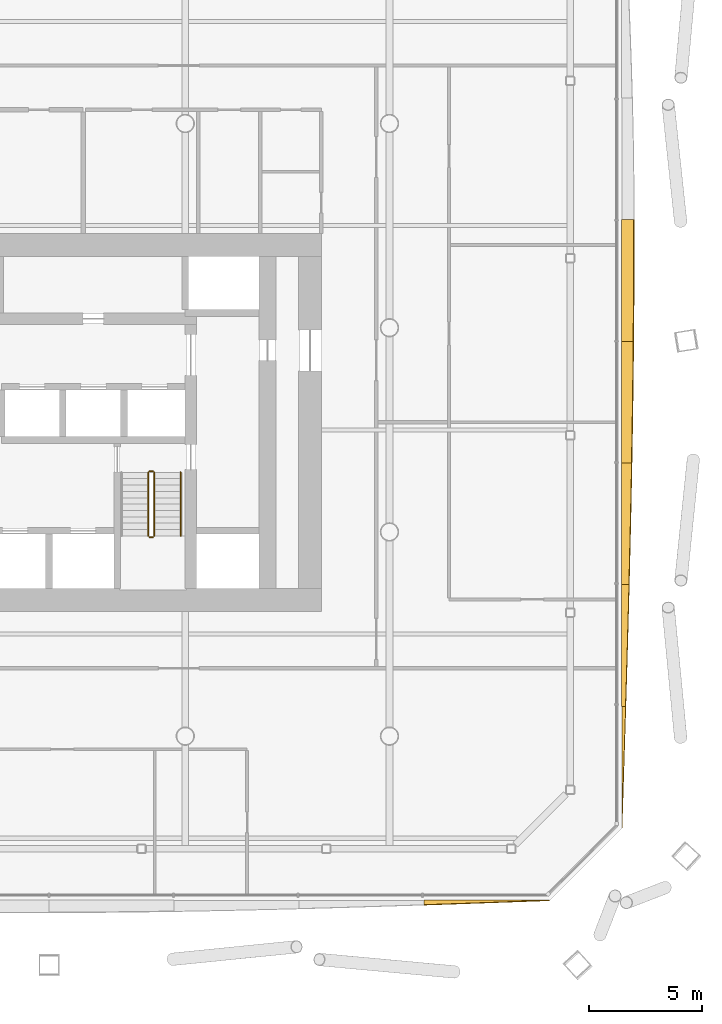
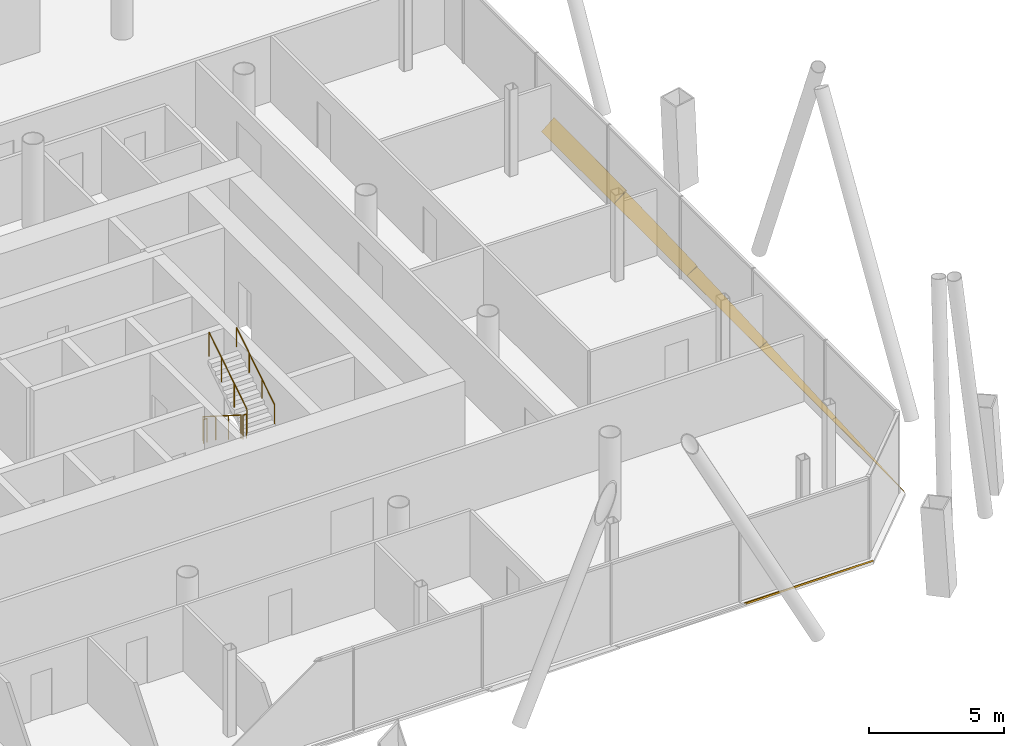
# One storey, part 20 of 22: 6 shading devices, 5 railings.
"""IFC4 building model written with IfcOpenShell, lengths in metres."""

from ifc_helpers import new_model, si_unit, direction, frame, origin, origin_2d, place, context, subcontext, project, spatial, polyline, circle, outline, extrude, material, layer, layer_set, type_object, element, save


model = new_model("IFC4")

# Units and contexts
model_context = context("Model", 3, precision=1e-05, world=origin(), true_north=direction((0.0, 1.0)))
body_context = subcontext(model_context, "Body", "Model", "MODEL_VIEW")
ifc_project = project(units=[si_unit("LENGTHUNIT", "METRE"), si_unit("AREAUNIT", "SQUARE_METRE"), si_unit("VOLUMEUNIT", "CUBIC_METRE"), si_unit("PLANEANGLEUNIT", "RADIAN"), si_unit("MASSUNIT", "GRAM", prefix="KILO")], contexts=[model_context])

# Site, building, storey
site_placement = place(None, origin())
site = spatial("IfcSite", under=ifc_project, at=site_placement, CompositionType="ELEMENT")
building_placement = place(site_placement, origin())
building = spatial("IfcBuilding", under=site, at=building_placement, Name="Tskaro Facet Tower", CompositionType="ELEMENT")
storey_placement = place(building_placement, frame((0.0, 0.0, 73.800048828125)))
storey = spatial("IfcBuildingStorey", under=building, at=storey_placement, Name="L17", CompositionType="ELEMENT", Elevation=73.800048828125)

# Shading devices
ifc_material_1 = material(Name="Bronze anodised aluminium 6063-T6", Category="aluminium")
ifc_layer = layer(ifc_material_1, 0.06005859375, Name="Bronze anodised aluminium 6063-T6")
ifc_layer_set = layer_set([ifc_layer], Name="Bronze anodised aluminium 6063-T6")
shading_device_type = type_object("IfcShadingDeviceType", Name="Bronze sun blade (FN1)", PredefinedType="USERDEFINED", material=ifc_layer_set)
shading_device_1_placement = place(storey_placement, frame((19.5322265625, -25.23095703125, 0.052001953125), z_axis=(2.324982e-06, 0.499235596176, 0.866466282959), x_axis=(0.999999999997, -1.160714e-06, -2.014519e-06)))
element("IfcShadingDevice", 1, at=shading_device_1_placement, inside=storey, type_object=shading_device_type, Name="Fin blade south 8", ObjectType="FIN", PredefinedType="USERDEFINED", context=body_context, shape_type="SweptSolid", body=[
    extrude(outline(polyline([(0.0, 0.0), (5.510742187485106, 0.0), (4.822021484248738, -0.028768178964002942), (4.1330566403873705, -0.057536357928005884), (3.444335937642829, -0.08618265320153572), (2.7553710939899103, -0.11461740885520193), (2.066650390678613, -0.1428406248890045), (1.3776855469507656, -0.17073041761247038), (0.6889648435645397, -0.1984086707160726), (-2.9788554966146426e-11, -0.2254200771990014), (0.0, 0.0)])), origin(), (0.0, 0.0, -1.0), 0.06005859375),
])
shading_device_2_placement = place(storey_placement, frame((28.240478515625, -22.04296875, 0.056396484375), z_axis=(-0.341525420994, -1.2343e-07, 0.939872537536), x_axis=(-4.2154e-08, 1.0, 1.16008e-07)))
element("IfcShadingDevice", 2, at=shading_device_2_placement, inside=storey, type_object=shading_device_type, Name="Fin blade east 1", ObjectType="FIN", PredefinedType="USERDEFINED", context=body_context, shape_type="SweptSolid", body=[
    extrude(outline(polyline([(0.0, 0.0), (5.361328124999959, 0.0), (5.361328124999918, -0.17871427272301155), (4.691162109389748, -0.1569381360572725), (4.020996093751256, -0.1350786191617987), (3.350830078133347, -0.11276018012885596), (2.680664062487115, -0.09035836086617842), (2.010498046869206, -0.06803992183323568), (1.340332031233266, -0.04540864150182367), (0.6701660156359399, -0.022631280331412006), (0.0, 0.0)])), origin(), (0.0, 0.0, -1.0), 0.06005859375),
])
shading_device_3_placement = place(storey_placement, frame((28.235595703125, -16.681640625, 0.054443359375), z_axis=(-0.422280990273, -1.0588181e-05, 0.906464982855), x_axis=(-4.471188e-06, 0.999999999944, 9.597816e-06)))
element("IfcShadingDevice", 3, at=shading_device_3_placement, inside=storey, type_object=shading_device_type, Name="Fin blade east 2", ObjectType="FIN", PredefinedType="USERDEFINED", context=body_context, shape_type="SweptSolid", body=[
    extrude(outline(polyline([(0.0, 0.0), (5.3613281246994715, -4.541221562916122e-21), (5.361328124999126, -0.35203097064167516), (4.6911621095890395, -0.3329161546099153), (4.020996092767313, -0.3129312319059606), (3.350830077037187, -0.29272500427453874), (2.6806640634902577, -0.27207616678818247), (2.010498046348493, -0.25099983248456575), (1.340332031389926, -0.22948088832601463), (0.6701660162713393, -0.20741623836763246), (-1.1904641697174655e-09, -0.18524849246435365), (0.0, 0.0)])), origin(), (0.0, 0.0, -1.0), 0.06005859375),
])
shading_device_4_placement = place(storey_placement, frame((28.23095703125, -11.3203125, 0.052001953125), z_axis=(-0.499826265631, -3.994829e-06, 0.866125686128), x_axis=(-1.99672e-06, 0.999999999992, 3.460024e-06)))
element("IfcShadingDevice", 4, at=shading_device_4_placement, inside=storey, type_object=shading_device_type, Name="Fin blade east 3", ObjectType="FIN", PredefinedType="USERDEFINED", context=body_context, shape_type="SweptSolid", body=[
    extrude(outline(polyline([(0.0, 0.0), (5.36132812495722, -1.1353053907290305e-21), (5.36132812494214, -0.5065301990836382), (4.691162109816985, -0.4916621694610403), (4.020996093977327, -0.4761271711119927), (3.3508300782678972, -0.46004723193337893), (2.680664062331445, -0.4430888675619741), (2.010498047012702, -0.42537410589466146), (1.3403320309794549, -0.40699237550089923), (0.6701660150764367, -0.3880657042775707), (-2.0887205329733564e-10, -0.3683826357583345), (0.0, 0.0)])), origin(), (0.0, 0.0, -1.0), 0.06005859375),
])
shading_device_5_placement = place(storey_placement, frame((28.2265625, -5.958984375, 0.049072265625), z_axis=(-0.573628208336, 1.5267768e-05, 0.819115790574), x_axis=(8.758022e-06, 0.999999999883, -1.250607e-05)))
element("IfcShadingDevice", 5, at=shading_device_5_placement, inside=storey, type_object=shading_device_type, Name="Fin blade east 4", ObjectType="FIN", PredefinedType="USERDEFINED", context=body_context, shape_type="SweptSolid", body=[
    extrude(outline(polyline([(0.0, 0.0), (5.361572265000096, 4.54142835806926e-21), (5.361572266635879, -0.62792445760141), (4.691406249231249, -0.6196641602141036), (4.0212402345717715, -0.6103837866556014), (3.3510742196042056, -0.6002233828752206), (2.680908202190363, -0.5889829694318796), (2.0107421866066217, -0.5770625052077414), (1.340332031004872, -0.563921985371326), (0.6701660148049552, -0.5502414607034305), (-7.879986281612611e-10, -0.5353408804232578), (0.0, 0.0)])), origin(), (0.0, 0.0, -1.0), 0.06005859375),
])
shading_device_6_placement = place(storey_placement, frame((28.222412109375, -0.597412109375, 0.0458984375), z_axis=(-0.642754329113, -4.818207e-06, 0.766072367589), x_axis=(-3.096923e-06, 0.999999999988, 3.691095e-06)))
element("IfcShadingDevice", 6, at=shading_device_6_placement, inside=storey, type_object=shading_device_type, Name="Fin blade east 5", ObjectType="FIN", PredefinedType="USERDEFINED", context=body_context, shape_type="SweptSolid", body=[
    extrude(outline(polyline([(0.0, 0.0), (5.361328124937768, 0.0), (5.361328125326588, -0.7037381737100017), (5.146728515954079, -0.7037381737100017), (4.6911621088082205, -0.7035812512663687), (4.020996094267984, -0.7021753370023673), (3.3508300785364793, -0.6999245966342258), (2.6806640622247278, -0.6962980489450703), (2.010498046378939, -0.6917965682087874), (1.3403320308540498, -0.6860762025951235), (0.6701660157951228, -0.6794809039343321), (1.5594997995379615e-10, -0.6715097979525267), (0.0, 0.0)])), origin(), (0.0, 0.0, -1.0), 0.06005859375),
])

# Railings
ifc_material_2 = material(Name="Stainless steel", Category="steel")
railing_type_1 = type_object("IfcRailingType", Name="RL-GUARD-1100", PredefinedType="GUARDRAIL", material=ifc_material_2)
railing_1_placement = place(storey_placement, frame((7.375, -6.375, 0.17724609375)))
element("IfcRailing", 7, at=railing_1_placement, inside=storey, type_object=railing_type_1, Name="L17 ST-2 stair guard 1", PredefinedType="GUARDRAIL", context=body_context, shape_type="SweptSolid", body=[
    extrude(circle(Radius=0.02392578125, at=origin_2d()), frame((0.0, 0.0, 1.076171875), z_axis=(0.0, -0.844908973607, 0.534910110503), x_axis=(1.0, 0.0, 0.0)), (0.0, 0.0, 1.0), 3.31396484375),
    extrude(circle(Radius=0.02099609375, at=origin_2d()), origin(), (0.0, 0.0, 1.0), 1.052001953125),
    extrude(circle(Radius=0.02099609375, at=origin_2d()), frame((0.0, -0.933349609375, 0.5908203125)), (0.0, 0.0, 1.0), 1.052001953125),
    extrude(circle(Radius=0.02099609375, at=origin_2d()), frame((0.0, -1.86669921875, 1.181884765625)), (0.0, 0.0, 1.0), 1.052001953125),
    extrude(circle(Radius=0.02099609375, at=origin_2d()), frame((0.0, -2.800048828125, 1.772705078125)), (0.0, 0.0, 1.0), 1.052001953125),
])
railing_2_placement = place(storey_placement, frame((7.425048828125, -9.22509765625, 1.949951171875)))
element("IfcRailing", 8, at=railing_2_placement, inside=storey, type_object=railing_type_1, Name="L17 ST-2 stair guard 2", PredefinedType="GUARDRAIL", context=body_context, shape_type="SweptSolid", body=[
    extrude(circle(Radius=0.02392578125, at=origin_2d()), frame((0.0, 0.0, 1.076171875), z_axis=(1.0, 0.0, 0.0), x_axis=(0.0, 1.0, 0.0)), (0.0, 0.0, 1.0), 0.14990234375),
    extrude(circle(Radius=0.02099609375, at=origin_2d()), origin(), (0.0, 0.0, 1.0), 1.052001953125),
    extrude(circle(Radius=0.02099609375, at=origin_2d()), frame((0.14990234375, 0.0, 0.0)), (0.0, 0.0, 1.0), 1.052001953125),
])
railing_3_placement = place(storey_placement, frame((7.625, -9.175048828125, 2.127197265625)))
element("IfcRailing", 9, at=railing_3_placement, inside=storey, type_object=railing_type_1, Name="L17 ST-2 stair guard 3", PredefinedType="GUARDRAIL", context=body_context, shape_type="SweptSolid", body=[
    extrude(circle(Radius=0.02392578125, at=origin_2d()), frame((0.0, 0.0, 1.076171875), z_axis=(0.0, 0.844908973607, 0.534910110503), x_axis=(-1.0, 0.0, 0.0)), (0.0, 0.0, 1.0), 3.31396484375),
    extrude(circle(Radius=0.02099609375, at=origin_2d()), origin(), (0.0, 0.0, 1.0), 1.052001953125),
    extrude(circle(Radius=0.02099609375, at=origin_2d()), frame((0.0, 0.933349609375, 0.5908203125)), (0.0, 0.0, 1.0), 1.052001953125),
    extrude(circle(Radius=0.02099609375, at=origin_2d()), frame((0.0, 1.86669921875, 1.181884765625)), (0.0, 0.0, 1.0), 1.052001953125),
    extrude(circle(Radius=0.02099609375, at=origin_2d()), frame((0.0, 2.800048828125, 1.772705078125)), (0.0, 0.0, 1.0), 1.052001953125),
])
railing_4_placement = place(storey_placement, frame((7.425048828125, -6.324951171875, 0.0)))
element("IfcRailing", 10, at=railing_4_placement, inside=storey, type_object=railing_type_1, Name="L17 ST-2 stair guard 4", PredefinedType="GUARDRAIL", context=body_context, shape_type="SweptSolid", body=[
    extrude(circle(Radius=0.02392578125, at=origin_2d()), frame((0.0, 0.0, 1.076171875), z_axis=(1.0, 0.0, 0.0), x_axis=(0.0, 1.0, 0.0)), (0.0, 0.0, 1.0), 0.14990234375),
    extrude(circle(Radius=0.02099609375, at=origin_2d()), origin(), (0.0, 0.0, 1.0), 1.052001953125),
    extrude(circle(Radius=0.02099609375, at=origin_2d()), frame((0.14990234375, 0.0, 0.0)), (0.0, 0.0, 1.0), 1.052001953125),
])
railing_type_2 = type_object("IfcRailingType", Name="RL-HANDRAIL-900", PredefinedType="HANDRAIL", material=ifc_material_2)
railing_5_placement = place(storey_placement, frame((8.800048828125, -9.175048828125, 2.127197265625)))
element("IfcRailing", 11, at=railing_5_placement, inside=storey, type_object=railing_type_2, Name="L17 ST-2 stair handrail 2", PredefinedType="HANDRAIL", context=body_context, shape_type="SweptSolid", body=[
    extrude(circle(Radius=0.02392578125, at=origin_2d()), frame((0.0, 0.0, 0.8759765625), z_axis=(0.0, 0.844908973607, 0.534910110503), x_axis=(-1.0, 0.0, 0.0)), (0.0, 0.0, 1.0), 3.31396484375),
    extrude(circle(Radius=0.02099609375, at=origin_2d()), origin(), (0.0, 0.0, 1.0), 0.851806640625),
    extrude(circle(Radius=0.02099609375, at=origin_2d()), frame((0.0, 0.933349609375, 0.5908203125)), (0.0, 0.0, 1.0), 0.851806640625),
    extrude(circle(Radius=0.02099609375, at=origin_2d()), frame((0.0, 1.86669921875, 1.181884765625)), (0.0, 0.0, 1.0), 0.851806640625),
    extrude(circle(Radius=0.02099609375, at=origin_2d()), frame((0.0, 2.800048828125, 1.772705078125)), (0.0, 0.0, 1.0), 0.851806640625),
])

save(model, "model.ifc")
